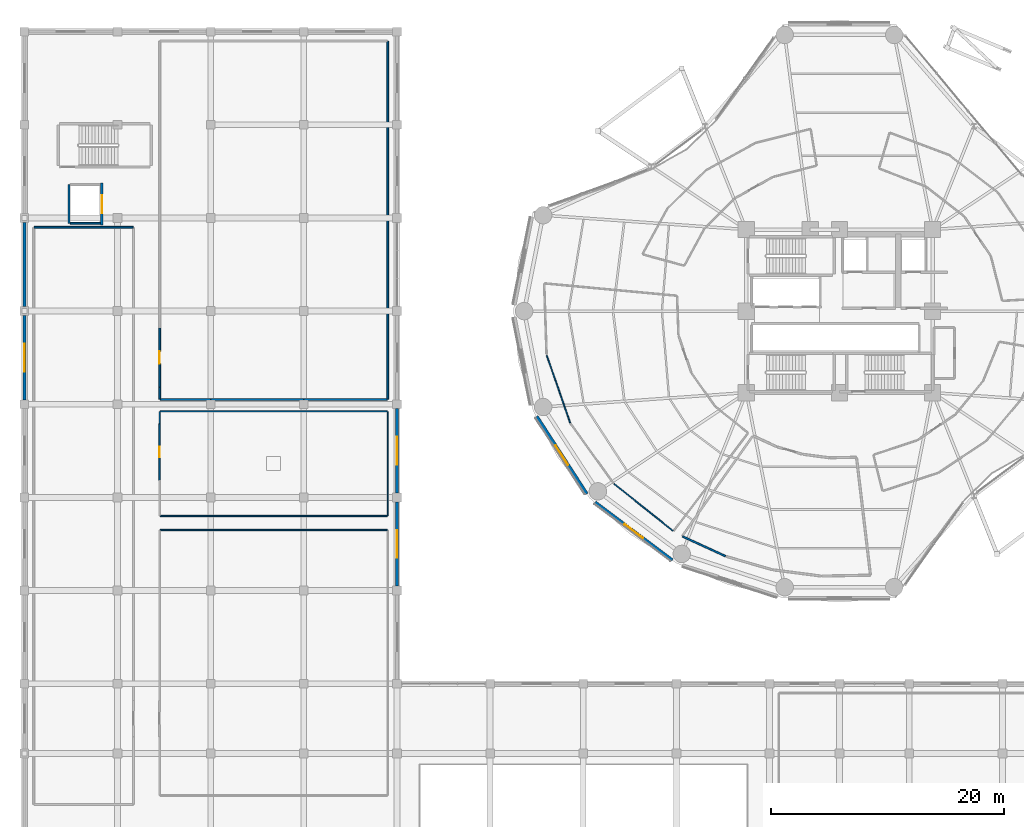
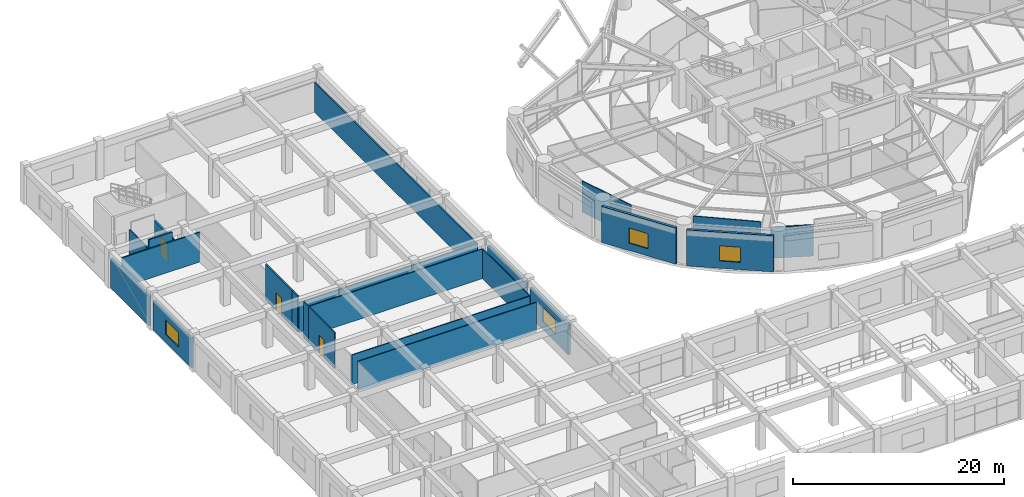
# One storey, part 42 of 55: 25 walls, 5 windows, 3 doors, 8 openings.
"""IFC4 building model written with IfcOpenShell, lengths in metres."""

from ifc_helpers import new_model, si_unit, direction, frame, frame_2d, origin, place, context, subcontext, project, spatial, rectangle, extrude, material, layer, layer_set, type_object, element, fill, save


model = new_model("IFC4")

# Units and contexts
model_context = context("Model", 3, precision=1e-05, world=origin(), true_north=direction((0.0, 1.0)))
body_context = subcontext(model_context, "Body", "Model", "MODEL_VIEW")
ifc_project = project(units=[si_unit("LENGTHUNIT", "METRE"), si_unit("AREAUNIT", "SQUARE_METRE"), si_unit("VOLUMEUNIT", "CUBIC_METRE"), si_unit("PLANEANGLEUNIT", "RADIAN"), si_unit("MASSUNIT", "GRAM", prefix="KILO")], contexts=[model_context])

# Site, building, storey
site_placement = place(None, origin())
site = spatial("IfcSite", under=ifc_project, at=site_placement, CompositionType="ELEMENT")
building_placement = place(site_placement, origin())
building = spatial("IfcBuilding", under=site, at=building_placement, Name="Kelanora Arch Commons", CompositionType="ELEMENT")
storey_placement = place(building_placement, frame((0.0, 0.0, 4.5)))
storey = spatial("IfcBuildingStorey", under=building, at=storey_placement, Name="L01", CompositionType="ELEMENT", Elevation=4.5)

# Walls
ifc_material_1 = material(Name="Autoclaved aerated concrete blockwork with fire plaster", Category="masonry")
ifc_layer_1 = layer(ifc_material_1, 0.14990234375)
ifc_layer_set_1 = layer_set([ifc_layer_1], Name="Autoclaved aerated concrete blockwork with fire plaster")
wall_type_1 = type_object("IfcWallType", Name="W-COMP-150", PredefinedType="PARTITIONING", material=ifc_layer_set_1)
wall_1_placement = place(storey_placement, frame((7.840087890625, 65.5400390625, 0.0), z_axis=(0.0, 0.0, 1.0), x_axis=(0.0, 1.0, 0.0)))
element("IfcWall", 1, at=wall_1_placement, inside=storey, type_object=wall_type_1, Name="Market West Lift Shaft Back Wall L01", PredefinedType="PARTITIONING", context=body_context, shape_type="SweptSolid", body=[
    extrude(rectangle(XDim=3.320068359375, YDim=0.14990234375, at=frame_2d((1.66015625, 0.0))), origin(), (0.0, 0.0, 1.0), 3.425048828125),
])
wall_2_placement = place(storey_placement, frame((7.9599609375, 65.5400390625, 0.0), z_axis=(0.0, 0.0, 1.0), x_axis=(1.0, 0.0, 0.0)))
element("IfcWall", 2, at=wall_2_placement, inside=storey, type_object=wall_type_1, Name="Market West Lift Shaft South Wall L01", PredefinedType="PARTITIONING", context=body_context, shape_type="SweptSolid", body=[
    extrude(rectangle(XDim=2.56005859375, YDim=0.14990234375, at=frame_2d((1.280029296875, 0.0))), origin(), (0.0, 0.0, 1.0), 4.22998046875),
])

# Wall, opening, door
wall_3_placement = place(storey_placement, frame((15.6201171875, 51.4599609375, 0.0), z_axis=(0.0, 0.0, 1.0), x_axis=(0.0, 1.0, 0.0)))
wall_3 = element("IfcWall", 3, at=wall_3_placement, inside=storey, type_object=wall_type_1, Name="Market Mezzanine Cold Room and Dry Goods Store L01 Entry Partition", PredefinedType="PARTITIONING", context=body_context, shape_type="SweptSolid", body=[
    extrude(rectangle(XDim=5.080078125, YDim=0.14990234375, at=frame_2d((2.5400390625, 0.0))), origin(), (0.0, 0.0, 1.0), 4.18994140625),
])
opening_1_placement = place(wall_3_placement, frame((2.0, 0.0, 0.0)))
opening_1 = element("IfcOpeningElement", 4, at=opening_1_placement, cuts=wall_3, Name="Opening D-PLT1", PredefinedType="OPENING", context=body_context, shape_type="SweptSolid", body=[
    extrude(rectangle(XDim=1.080078125, YDim=2.10009765625, at=frame_2d((0.5400390625, 1.050048828125))), frame((0.0, 0.0849609375, 0.0), z_axis=(0.0, -1.0, 0.0), x_axis=(1.0, 0.0, 0.0)), (0.0, 0.0, 1.0), 0.169921875),
])
ifc_material_2 = material(Name="Galvanised steel plant and riser fire door", Category="steel")
door_type_1 = type_object("IfcDoorType", Name="D-PLT-110", OperationType="NOTDEFINED", PredefinedType="DOOR", material=ifc_material_2)
door_1_placement = place(opening_1_placement, origin())
door_1 = element("IfcDoor", 5, at=door_1_placement, inside=storey, type_object=door_type_1, Name="Market Mezzanine Cold Room and Dry Goods Store L01 Door", OperationType="SINGLE_SWING_RIGHT", OverallHeight=2.10009765625, OverallWidth=1.080078125, PredefinedType="DOOR", context=body_context, shape_type="SweptSolid", body=[
    extrude(rectangle(XDim=1.080078125, YDim=2.10009765625, at=frame_2d((0.5400390625, 1.050048828125))), frame((0.0, 0.02490234375, 0.0), z_axis=(0.0, -1.0, 0.0), x_axis=(1.0, 0.0, 0.0)), (0.0, 0.0, 1.0), 0.050048828125),
])
fill(opening_1, door_1)

# Walls
wall_4_placement = place(storey_placement, frame((15.659912109375, 50.39990234375, 0.0), z_axis=(0.0, 0.0, 1.0), x_axis=(1.0, 0.0, 0.0)))
element("IfcWall", 6, at=wall_4_placement, inside=storey, type_object=wall_type_1, Name="Market Mezzanine Cold Room and Dry Goods Store L01 Enclosure Partition 1", PredefinedType="PARTITIONING", context=body_context, shape_type="SweptSolid", body=[
    extrude(rectangle(XDim=4.340087890625, YDim=0.14990234375, at=frame_2d((2.169921875, 0.0))), origin(), (0.0, 0.0, 1.0), 3.425048828125),
])
wall_5_placement = place(storey_placement, frame((20.0, 50.39990234375, 0.0), z_axis=(0.0, 0.0, 1.0), x_axis=(1.0, 0.0, 0.0)))
element("IfcWall", 7, at=wall_5_placement, inside=storey, type_object=wall_type_1, Name="Market Mezzanine Cold Room and Dry Goods Store L01 Enclosure Partition 1", PredefinedType="PARTITIONING", context=body_context, shape_type="SweptSolid", body=[
    extrude(rectangle(XDim=8.0, YDim=0.14990234375, at=frame_2d((4.0, 0.0))), origin(), (0.0, 0.0, 1.0), 3.425048828125),
])
wall_6_placement = place(storey_placement, frame((28.0, 50.39990234375, 0.0), z_axis=(0.0, 0.0, 1.0), x_axis=(1.0, 0.0, 0.0)))
element("IfcWall", 8, at=wall_6_placement, inside=storey, type_object=wall_type_1, Name="Market Mezzanine Cold Room and Dry Goods Store L01 Enclosure Partition 1", PredefinedType="PARTITIONING", context=body_context, shape_type="SweptSolid", body=[
    extrude(rectangle(XDim=7.159912109375, YDim=0.14990234375, at=frame_2d((3.580078125, 0.0))), origin(), (0.0, 0.0, 1.0), 3.425048828125),
])
wall_7_placement = place(storey_placement, frame((35.199951171875, 50.43994140625, 0.0), z_axis=(0.0, 0.0, 1.0), x_axis=(0.0, 1.0, 0.0)))
element("IfcWall", 9, at=wall_7_placement, inside=storey, type_object=wall_type_1, Name="Market Mezzanine Cold Room and Dry Goods Store L01 Enclosure Partition 2", PredefinedType="PARTITIONING", context=body_context, shape_type="SweptSolid", body=[
    extrude(rectangle(XDim=30.719970703125, YDim=0.14990234375, at=frame_2d((15.35986328125, 0.0))), origin(), (0.0, 0.0, 1.0), 3.425048828125),
])
wall_8_placement = place(storey_placement, frame((15.6201171875, 51.4599609375, 0.0), z_axis=(0.0, 0.0, 1.0), x_axis=(0.0, -1.0, 0.0)))
element("IfcWall", 10, at=wall_8_placement, inside=storey, type_object=wall_type_1, Name="Market Mezzanine Cold Room and Dry Goods Store L01 Enclosure Partition 4", PredefinedType="PARTITIONING", context=body_context, shape_type="SweptSolid", body=[
    extrude(rectangle(XDim=1.02001953125, YDim=0.14990234375, at=frame_2d((0.510009765625, 0.0))), origin(), (0.0, 0.0, 1.0), 4.18994140625),
])
wall_9_placement = place(storey_placement, frame((13.340087890625, 65.199951171875, 0.0), z_axis=(0.0, 0.0, 1.0), x_axis=(-1.0, 0.0, 0.0)))
element("IfcWall", 11, at=wall_9_placement, inside=storey, type_object=wall_type_1, Name="Market West Vendor Bulk Store L01 Enclosure Partition 3", PredefinedType="PARTITIONING", context=body_context, shape_type="SweptSolid", body=[
    extrude(rectangle(XDim=8.5, YDim=0.14990234375, at=frame_2d((4.25, 0.0))), origin(), (0.0, 0.0, 1.0), 3.425048828125),
])
wall_10_placement = place(storey_placement, frame((64.205810546875, 36.95263671875, 0.0), z_axis=(0.0, 0.0, 1.0), x_axis=(-0.908344989121, 0.418221688508, 0.0)))
element("IfcWall", 12, at=wall_10_placement, inside=storey, type_object=wall_type_1, Name="Tower Podium Linen and Housekeeping Store L01 Enclosure Partition 9", PredefinedType="PARTITIONING", context=body_context, shape_type="SweptSolid", body=[
    extrude(rectangle(XDim=4.05419921875, YDim=0.14990234375, at=frame_2d((2.027099609375, 0.0))), origin(), (0.0, 0.0, 1.0), 3.5849609375),
])

# Wall, opening, window
ifc_material_3 = material(Name="Precast concrete C40/50 with terracotta ceramic cladding", Category="masonry")
ifc_layer_2 = layer(ifc_material_3, 0.25)
ifc_layer_set_2 = layer_set([ifc_layer_2], Name="Precast concrete C40/50 with terracotta ceramic cladding")
wall_type_2 = type_object("IfcWallType", Name="W-EXT-MKT", PredefinedType="SOLIDWALL", material=ifc_layer_set_2)
wall_11_placement = place(storey_placement, frame((36.0, 34.3798828125, 0.0), z_axis=(0.0, 0.0, 1.0), x_axis=(0.0, 1.0, 0.0)))
wall_11 = element("IfcWall", 13, at=wall_11_placement, inside=storey, type_object=wall_type_2, Name="Market Hall Exterior Wall L01-24", PredefinedType="SOLIDWALL", context=body_context, shape_type="SweptSolid", body=[
    extrude(rectangle(XDim=7.240234375, YDim=0.25, at=frame_2d((3.6201171875, 0.0))), origin(), (0.0, 0.0, 1.0), 3.419921875),
])
opening_2_placement = place(wall_11_placement, frame((2.419921875, 0.0, 0.949951171875)))
opening_2 = element("IfcOpeningElement", 14, at=opening_2_placement, cuts=wall_11, Name="Opening WN-03", PredefinedType="OPENING", context=body_context, shape_type="SweptSolid", body=[
    extrude(rectangle(XDim=2.39990234375, YDim=1.64990234375, at=frame_2d((1.199951171875, 0.824951171875))), frame((0.0, 0.135009765625, 0.0), z_axis=(0.0, -1.0, 0.0), x_axis=(1.0, 0.0, 0.0)), (0.0, 0.0, 1.0), 0.27001953125),
])
ifc_material_4 = material(Name="Bronze-terracotta aluminium monsoon clerestory window", Category="masonry")
window_type_1 = type_object("IfcWindowType", Name="WIN-MKT-24", PartitioningType="TRIPLE_PANEL_VERTICAL", PredefinedType="WINDOW", material=ifc_material_4)
window_1_placement = place(opening_2_placement, origin())
window_1 = element("IfcWindow", 15, at=window_1_placement, inside=storey, type_object=window_type_1, Name="Market Hall Clerestory Window L01-24", OverallHeight=1.64990234375, OverallWidth=2.39990234375, PartitioningType="SINGLE_PANEL", PredefinedType="WINDOW", context=body_context, shape_type="SweptSolid", body=[
    extrude(rectangle(XDim=2.39990234375, YDim=1.64990234375, at=frame_2d((1.199951171875, 0.824951171875))), frame((0.0, 0.030029296875, 0.0), z_axis=(0.0, -1.0, 0.0), x_axis=(1.0, 0.0, 0.0)), (0.0, 0.0, 1.0), 0.06005859375),
])
fill(opening_2, window_1)

wall_12_placement = place(storey_placement, frame((36.0, 42.3798828125, 0.0), z_axis=(0.0, 0.0, 1.0), x_axis=(0.0, 1.0, 0.0)))
wall_12 = element("IfcWall", 16, at=wall_12_placement, inside=storey, type_object=wall_type_2, Name="Market Hall Exterior Wall L01-25", PredefinedType="SOLIDWALL", context=body_context, shape_type="SweptSolid", body=[
    extrude(rectangle(XDim=7.240234375, YDim=0.25, at=frame_2d((3.6201171875, 0.0))), origin(), (0.0, 0.0, 1.0), 3.419921875),
])
opening_3_placement = place(wall_12_placement, frame((2.419921875, 0.0, 0.949951171875)))
opening_3 = element("IfcOpeningElement", 17, at=opening_3_placement, cuts=wall_12, Name="Opening WN-03", PredefinedType="OPENING", context=body_context, shape_type="SweptSolid", body=[
    extrude(rectangle(XDim=2.39990234375, YDim=1.64990234375, at=frame_2d((1.199951171875, 0.824951171875))), frame((0.0, 0.135009765625, 0.0), z_axis=(0.0, -1.0, 0.0), x_axis=(1.0, 0.0, 0.0)), (0.0, 0.0, 1.0), 0.27001953125),
])
window_2_placement = place(opening_3_placement, origin())
window_2 = element("IfcWindow", 18, at=window_2_placement, inside=storey, type_object=window_type_1, Name="Market Hall Clerestory Window L01-25", OverallHeight=1.64990234375, OverallWidth=2.39990234375, PartitioningType="SINGLE_PANEL", PredefinedType="WINDOW", context=body_context, shape_type="SweptSolid", body=[
    extrude(rectangle(XDim=2.39990234375, YDim=1.64990234375, at=frame_2d((1.199951171875, 0.824951171875))), frame((0.0, 0.030029296875, 0.0), z_axis=(0.0, -1.0, 0.0), x_axis=(1.0, 0.0, 0.0)), (0.0, 0.0, 1.0), 0.06005859375),
])
fill(opening_3, window_2)

# Wall
wall_13_placement = place(storey_placement, frame((4.0, 65.6201171875, 0.0), z_axis=(0.0, 0.0, 1.0), x_axis=(0.0, -1.0, 0.0)))
element("IfcWall", 19, at=wall_13_placement, inside=storey, type_object=wall_type_2, Name="Market Hall Exterior Wall L01-36", PredefinedType="SOLIDWALL", context=body_context, shape_type="SweptSolid", body=[
    extrude(rectangle(XDim=7.240234375, YDim=0.25, at=frame_2d((3.6201171875, 0.0))), origin(), (0.0, 0.0, 1.0), 3.419921875),
])

# Wall, opening, window
wall_14_placement = place(storey_placement, frame((4.0, 57.6201171875, 0.0), z_axis=(0.0, 0.0, 1.0), x_axis=(0.0, -1.0, 0.0)))
wall_14 = element("IfcWall", 20, at=wall_14_placement, inside=storey, type_object=wall_type_2, Name="Market Hall Exterior Wall L01-37", PredefinedType="SOLIDWALL", context=body_context, shape_type="SweptSolid", body=[
    extrude(rectangle(XDim=7.240234375, YDim=0.25, at=frame_2d((3.6201171875, 0.0))), origin(), (0.0, 0.0, 1.0), 3.419921875),
])
opening_4_placement = place(wall_14_placement, frame((2.419921875, 0.0, 0.949951171875)))
opening_4 = element("IfcOpeningElement", 21, at=opening_4_placement, cuts=wall_14, Name="Opening WN-03", PredefinedType="OPENING", context=body_context, shape_type="SweptSolid", body=[
    extrude(rectangle(XDim=2.39990234375, YDim=1.64990234375, at=frame_2d((1.199951171875, 0.824951171875))), frame((0.0, 0.135009765625, 0.0), z_axis=(0.0, -1.0, 0.0), x_axis=(1.0, 0.0, 0.0)), (0.0, 0.0, 1.0), 0.27001953125),
])
window_3_placement = place(opening_4_placement, origin())
window_3 = element("IfcWindow", 22, at=window_3_placement, inside=storey, type_object=window_type_1, Name="Market Hall Clerestory Window L01-37", OverallHeight=1.64990234375, OverallWidth=2.39990234375, PartitioningType="SINGLE_PANEL", PredefinedType="WINDOW", context=body_context, shape_type="SweptSolid", body=[
    extrude(rectangle(XDim=2.39990234375, YDim=1.64990234375, at=frame_2d((1.199951171875, 0.824951171875))), frame((0.0, 0.030029296875, 0.0), z_axis=(0.0, -1.0, 0.0), x_axis=(1.0, 0.0, 0.0)), (0.0, 0.0, 1.0), 0.06005859375),
])
fill(opening_4, window_3)

ifc_material_5 = material(Name="Precast concrete C40/50 with terracotta rainscreen", Category="masonry")
ifc_layer_3 = layer(ifc_material_5, 0.260009765625)
ifc_layer_set_3 = layer_set([ifc_layer_3], Name="Precast concrete C40/50 with terracotta rainscreen")
wall_type_3 = type_object("IfcWallType", Name="W-EXT-TC", PredefinedType="SOLIDWALL", material=ifc_layer_set_3)
wall_15_placement = place(storey_placement, frame((48.000732421875, 48.966796875, 0.0), z_axis=(0.0, 0.0, 1.0), x_axis=(0.543005114258, -0.839729388488, 0.0)))
wall_15 = element("IfcWall", 23, at=wall_15_placement, inside=storey, type_object=wall_type_3, Name="Terracotta Exterior Wall L01-B10", PredefinedType="SOLIDWALL", context=body_context, shape_type="SweptSolid", body=[
    extrude(rectangle(XDim=7.9375, YDim=0.260009765625, at=frame_2d((3.96875, 0.0))), origin(), (0.0, 0.0, 1.0), 4.18505859375),
])
opening_5_placement = place(wall_15_placement, frame((2.968994140625, 0.0, 0.85009765625)))
opening_5 = element("IfcOpeningElement", 24, at=opening_5_placement, cuts=wall_15, Name="Opening WN-05", PredefinedType="OPENING", context=body_context, shape_type="SweptSolid", body=[
    extrude(rectangle(XDim=2.0, YDim=1.75, at=frame_2d((1.0, 0.875))), frame((0.0, 0.14013671875, 0.0), z_axis=(0.0, -1.0, 0.0), x_axis=(1.0, 0.0, 0.0)), (0.0, 0.0, 1.0), 0.280029296875),
])
ifc_material_6 = material(Name="Terracotta-anodised aluminium podium window", Category="masonry")
window_type_2 = type_object("IfcWindowType", Name="WIN-POD-20", PartitioningType="TRIPLE_PANEL_VERTICAL", PredefinedType="WINDOW", material=ifc_material_6)
window_4_placement = place(opening_5_placement, origin())
window_4 = element("IfcWindow", 25, at=window_4_placement, inside=storey, type_object=window_type_2, Name="Podium Window L01-B10", OverallHeight=1.75, OverallWidth=2.0, PartitioningType="SINGLE_PANEL", PredefinedType="WINDOW", context=body_context, shape_type="SweptSolid", body=[
    extrude(rectangle(XDim=2.0, YDim=1.75, at=frame_2d((1.0, 0.875))), frame((0.0, 0.030029296875, 0.0), z_axis=(0.0, -1.0, 0.0), x_axis=(1.0, 0.0, 0.0)), (0.0, 0.0, 1.0), 0.06005859375),
])
fill(opening_5, window_4)

wall_16_placement = place(storey_placement, frame((53.01611328125, 41.581787109375, 0.0), z_axis=(0.0, 0.0, 1.0), x_axis=(0.80030733173, -0.599590005569, 0.0)))
wall_16 = element("IfcWall", 26, at=wall_16_placement, inside=storey, type_object=wall_type_3, Name="Terracotta Exterior Wall L01-B11", PredefinedType="SOLIDWALL", context=body_context, shape_type="SweptSolid", body=[
    extrude(rectangle(XDim=8.29052734375, YDim=0.260009765625, at=frame_2d((4.145263671875, 0.0))), origin(), (0.0, 0.0, 1.0), 4.18505859375),
])
opening_6_placement = place(wall_16_placement, frame((3.14501953125, 0.0, 0.85009765625)))
opening_6 = element("IfcOpeningElement", 27, at=opening_6_placement, cuts=wall_16, Name="Opening WN-05", PredefinedType="OPENING", context=body_context, shape_type="SweptSolid", body=[
    extrude(rectangle(XDim=2.0, YDim=1.75, at=frame_2d((1.0, 0.875))), frame((0.0, 0.14013671875, 0.0), z_axis=(0.0, -1.0, 0.0), x_axis=(1.0, 0.0, 0.0)), (0.0, 0.0, 1.0), 0.280029296875),
])
window_5_placement = place(opening_6_placement, origin())
window_5 = element("IfcWindow", 28, at=window_5_placement, inside=storey, type_object=window_type_2, Name="Podium Window L01-B11", OverallHeight=1.75, OverallWidth=2.0, PartitioningType="SINGLE_PANEL", PredefinedType="WINDOW", context=body_context, shape_type="SweptSolid", body=[
    extrude(rectangle(XDim=2.0, YDim=1.75, at=frame_2d((1.0, 0.875))), frame((0.0, 0.030029296875, 0.0), z_axis=(0.0, -1.0, 0.0), x_axis=(1.0, 0.0, 0.0)), (0.0, 0.0, 1.0), 0.06005859375),
])
fill(opening_6, window_5)

# Wall, opening, door
ifc_material_7 = material(Name="Concrete C40/50", Category="concrete")
ifc_layer_4 = layer(ifc_material_7, 0.199951171875)
ifc_layer_set_4 = layer_set([ifc_layer_4], Name="Concrete C40/50")
wall_type_4 = type_object("IfcWallType", Name="W-FFL-200", PredefinedType="SOLIDWALL", material=ifc_layer_set_4)
wall_17_placement = place(storey_placement, frame((10.64990234375, 65.39990234375, 0.0), z_axis=(0.0, 0.0, 1.0), x_axis=(0.0, 1.0, 0.0)))
wall_17 = element("IfcWall", 29, at=wall_17_placement, inside=storey, type_object=wall_type_4, Name="Market West Goods Lift Shaft Front L01", PredefinedType="SOLIDWALL", context=body_context, shape_type="SweptSolid", body=[
    extrude(rectangle(XDim=3.60009765625, YDim=0.199951171875, at=frame_2d((1.800048828125, 0.0))), origin(), (0.0, 0.0, 1.0), 3.425048828125),
])
opening_7_placement = place(wall_17_placement, frame((1.02001953125, 0.0, 0.0)))
opening_7 = element("IfcOpeningElement", 30, at=opening_7_placement, cuts=wall_17, Name="Opening LD-GD", PredefinedType="OPENING", context=body_context, shape_type="SweptSolid", body=[
    extrude(rectangle(XDim=1.550048828125, YDim=2.199951171875, at=frame_2d((0.77490234375, 1.10009765625))), frame((0.0, 0.10986328125, 0.0), z_axis=(0.0, -1.0, 0.0), x_axis=(1.0, 0.0, 0.0)), (0.0, 0.0, 1.0), 0.219970703125),
])
ifc_material_8 = material(Name="Heavy-duty goods lift bi-parting sliding landing door")
door_type_2 = type_object("IfcDoorType", Name="D-LIFT-GDS", OperationType="NOTDEFINED", PredefinedType="DOOR", material=ifc_material_8)
door_2_placement = place(opening_7_placement, origin())
door_2 = element("IfcDoor", 31, at=door_2_placement, inside=storey, type_object=door_type_2, Name="Market Goods Lift LF-MG2 Landing Door L01", OperationType="DOUBLE_DOOR_SLIDING", OverallHeight=2.199951171875, OverallWidth=1.550048828125, PredefinedType="DOOR", context=body_context, shape_type="SweptSolid", body=[
    extrude(rectangle(XDim=1.550048828125, YDim=2.199951171875, at=frame_2d((0.77490234375, 1.10009765625))), frame((0.0, 0.02490234375, 0.0), z_axis=(0.0, -1.0, 0.0), x_axis=(1.0, 0.0, 0.0)), (0.0, 0.0, 1.0), 0.050048828125),
])
fill(opening_7, door_2)

# Walls
ifc_material_9 = material(Name="Lightweight fire-rated acoustic stud partition")
ifc_layer_5 = layer(ifc_material_9, 0.10009765625)
ifc_layer_set_5 = layer_set([ifc_layer_5], Name="Lightweight fire-rated acoustic stud partition")
wall_type_5 = type_object("IfcWallType", Name="W-PART-100", PredefinedType="PARTITIONING", material=ifc_layer_set_5)
for number, where, z_axis, x_axis, name in (
    (32, (35.159912109375, 39.199951171875, 0.0), (0.0, 0.0, 1.0), (-1.0, 0.0, 0.0), "Mezzanine Artisan Spice and Tea Stalls Enclosure Partition 3"),
    (33, (15.659912109375, 40.39990234375, 0.0), (0.0, 0.0, 1.0), (1.0, 0.0, 0.0), "Mezzanine Dining Overlook Gallery Enclosure Partition 1"),
):
    element("IfcWall", number, at=place(storey_placement, frame(where, z_axis=z_axis, x_axis=x_axis)), inside=storey, type_object=wall_type_5, Name=name, PredefinedType="PARTITIONING", context=body_context, shape_type="SweptSolid", body=[
        extrude(rectangle(XDim=19.5, YDim=0.10009765625, at=frame_2d((9.75, 0.0))), origin(), (0.0, 0.0, 1.0), 3.425048828125),
    ])
wall_18_placement = place(storey_placement, frame((35.199951171875, 40.43994140625, 0.0), z_axis=(0.0, 0.0, 1.0), x_axis=(0.0, 1.0, 0.0)))
element("IfcWall", 34, at=wall_18_placement, inside=storey, type_object=wall_type_5, Name="Mezzanine Dining Overlook Gallery Enclosure Partition 2", PredefinedType="PARTITIONING", context=body_context, shape_type="SweptSolid", body=[
    extrude(rectangle(XDim=8.920166015625, YDim=0.10009765625, at=frame_2d((4.4599609375, 0.0))), origin(), (0.0, 0.0, 1.0), 3.425048828125),
])
wall_19_placement = place(storey_placement, frame((35.159912109375, 49.39990234375, 0.0), z_axis=(0.0, 0.0, 1.0), x_axis=(-1.0, 0.0, 0.0)))
element("IfcWall", 35, at=wall_19_placement, inside=storey, type_object=wall_type_5, Name="Mezzanine Dining Overlook Gallery Enclosure Partition 3", PredefinedType="PARTITIONING", context=body_context, shape_type="SweptSolid", body=[
    extrude(rectangle(XDim=19.5, YDim=0.10009765625, at=frame_2d((9.75, 0.0))), origin(), (0.0, 0.0, 1.0), 3.425048828125),
])
wall_20_placement = place(storey_placement, frame((15.6201171875, 49.360107421875, 0.0), z_axis=(0.0, 0.0, 1.0), x_axis=(0.0, -1.0, 0.0)))
element("IfcWall", 36, at=wall_20_placement, inside=storey, type_object=wall_type_5, Name="Mezzanine Dining Overlook Gallery Enclosure Partition 4", PredefinedType="PARTITIONING", context=body_context, shape_type="SweptSolid", body=[
    extrude(rectangle(XDim=1.02001953125, YDim=0.10009765625, at=frame_2d((0.510009765625, 0.0))), origin(), (0.0, 0.0, 1.0), 4.18994140625),
])
wall_21_placement = place(storey_placement, frame((59.709716796875, 39.123046875, 0.0), z_axis=(0.0, 0.0, 1.0), x_axis=(-0.781602893215, 0.623776335972, 0.0)))
element("IfcWall", 37, at=wall_21_placement, inside=storey, type_object=wall_type_5, Name="Student Laundromat and Fitness Studio L01-C Enclosure Partition 6", PredefinedType="PARTITIONING", context=body_context, shape_type="SweptSolid", body=[
    extrude(rectangle(XDim=6.484619140625, YDim=0.10009765625, at=frame_2d((3.2421875, 0.0))), origin(), (0.0, 0.0, 1.0), 4.18994140625),
])
wall_22_placement = place(storey_placement, frame((50.8759765625, 48.40185546875, 0.0), z_axis=(0.0, 0.0, 1.0), x_axis=(-0.328006758099, 0.944675376328, 0.0)))
element("IfcWall", 38, at=wall_22_placement, inside=storey, type_object=wall_type_5, Name="Student Laundromat and Fitness Studio L01-C Enclosure Partition 8", PredefinedType="PARTITIONING", context=body_context, shape_type="SweptSolid", body=[
    extrude(rectangle(XDim=6.136962890625, YDim=0.10009765625, at=frame_2d((3.068359375, 0.0))), origin(), (0.0, 0.0, 1.0), 3.5849609375),
])

# Wall, opening, door
ifc_material_10 = material(Name="Acoustic twin-stud fire-rated gypsum partition")
ifc_layer_6 = layer(ifc_material_10, 0.1201171875)
ifc_layer_set_6 = layer_set([ifc_layer_6], Name="Acoustic twin-stud fire-rated gypsum partition")
wall_type_6 = type_object("IfcWallType", Name="W-PART-120", PredefinedType="PARTITIONING", material=ifc_layer_set_6)
wall_23_placement = place(storey_placement, frame((15.6201171875, 43.4599609375, 0.0), z_axis=(0.0, 0.0, 1.0), x_axis=(0.0, 1.0, 0.0)))
wall_23 = element("IfcWall", 39, at=wall_23_placement, inside=storey, type_object=wall_type_6, Name="Mezzanine Dining Overlook Gallery Entry Partition", PredefinedType="PARTITIONING", context=body_context, shape_type="SweptSolid", body=[
    extrude(rectangle(XDim=4.880126953125, YDim=0.1201171875, at=frame_2d((2.43994140625, 0.0))), origin(), (0.0, 0.0, 1.0), 4.18994140625),
])
opening_8_placement = place(wall_23_placement, frame((1.989990234375, 0.0, 0.0)))
opening_8 = element("IfcOpeningElement", 40, at=opening_8_placement, cuts=wall_23, Name="Opening D-RM1", PredefinedType="OPENING", context=body_context, shape_type="SweptSolid", body=[
    extrude(rectangle(XDim=0.89990234375, YDim=2.080078125, at=frame_2d((0.449951171875, 1.0400390625))), frame((0.0, 0.070068359375, 0.0), z_axis=(0.0, -1.0, 0.0), x_axis=(1.0, 0.0, 0.0)), (0.0, 0.0, 1.0), 0.14013671875),
])
ifc_material_11 = material(Name="Acoustic fire-rated timber study and lounge door", Category="wood")
door_type_3 = type_object("IfcDoorType", Name="D-ROOM-90", OperationType="NOTDEFINED", PredefinedType="DOOR", material=ifc_material_11)
door_3_placement = place(opening_8_placement, origin())
door_3 = element("IfcDoor", 41, at=door_3_placement, inside=storey, type_object=door_type_3, Name="Mezzanine Dining Overlook Gallery Door", OperationType="SINGLE_SWING_LEFT", OverallHeight=2.080078125, OverallWidth=0.89990234375, PredefinedType="DOOR", context=body_context, shape_type="SweptSolid", body=[
    extrude(rectangle(XDim=0.89990234375, YDim=2.080078125, at=frame_2d((0.449951171875, 1.0400390625))), frame((0.0, 0.02490234375, 0.0), z_axis=(0.0, -1.0, 0.0), x_axis=(1.0, 0.0, 0.0)), (0.0, 0.0, 1.0), 0.050048828125),
])
fill(opening_8, door_3)

save(model, "model.ifc")
